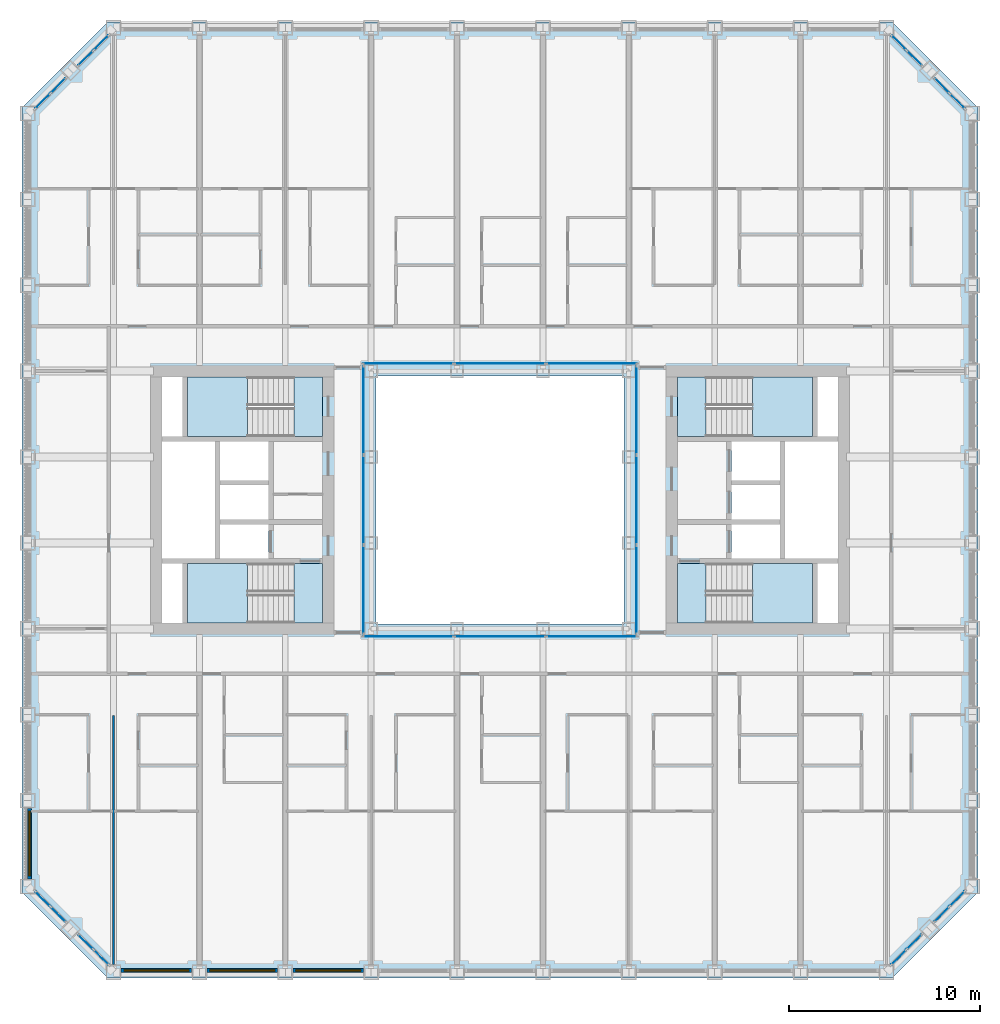
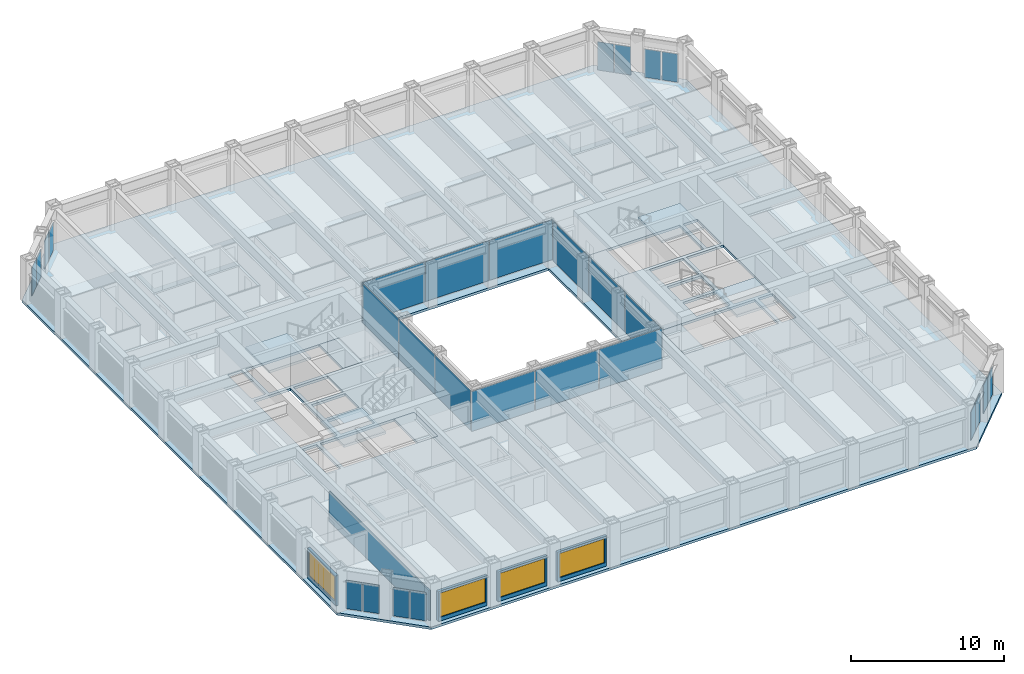
# One storey, part 8 of 21: 28 plates, 9 slabs, 5 walls, 4 windows, 4 openings, 16 elements without a shape of their own.
"""IFC4 building model written with IfcOpenShell, lengths in metres."""

from ifc_helpers import new_model, si_unit, direction, frame, frame_2d, origin, origin_2d, place, context, subcontext, project, spatial, polyline, rectangle, outline, extrude, material, layer, layer_set, type_object, element, fill, aggregate, save


model = new_model("IFC4")

# Units and contexts
model_context = context("Model", 3, precision=1e-05, world=origin(), true_north=direction((0.0, 1.0)))
body_context = subcontext(model_context, "Body", "Model", "MODEL_VIEW")
ifc_project = project(units=[si_unit("LENGTHUNIT", "METRE"), si_unit("AREAUNIT", "SQUARE_METRE"), si_unit("VOLUMEUNIT", "CUBIC_METRE"), si_unit("PLANEANGLEUNIT", "RADIAN"), si_unit("MASSUNIT", "GRAM", prefix="KILO")], contexts=[model_context])

# Site, building, storey
site_placement = place(None, origin())
site = spatial("IfcSite", under=ifc_project, at=site_placement, CompositionType="ELEMENT")
building_placement = place(site_placement, origin())
building = spatial("IfcBuilding", under=site, at=building_placement, Name="Msasa Ring Tower", CompositionType="ELEMENT")
storey_placement = place(building_placement, frame((0.0, 0.0, 44.0)))
storey = spatial("IfcBuildingStorey", under=building, at=storey_placement, Name="L10", CompositionType="ELEMENT", Elevation=44.0)

# Curtain wall, plates
ifc_material_1 = material(Name="Aluminium curtain wall with clear glass", Category="aluminium")
curtain_wall_type_1 = type_object("IfcCurtainWallType", Name="CW-C CHAMFER CORNER CURTAIN WALL", PredefinedType="NOTDEFINED", material=ifc_material_1)
curtain_wall_1_placement = place(storey_placement, origin())
curtain_wall_1 = element("IfcCurtainWall", 1, at=curtain_wall_1_placement, inside=storey, type_object=curtain_wall_type_1, Name="Chamfer corner curtain wall SE L10", PredefinedType="NOTDEFINED")
ifc_material_2 = material(Name="Clear laminated insulating glass unit", Category="glass")
ifc_layer_1 = layer(ifc_material_2, 0.031982421875)
ifc_layer_set_1 = layer_set([ifc_layer_1], Name="CW-C GLASS PANEL 32")
plate_type_1 = type_object("IfcPlateType", Name="CW-C GLASS PANEL 32", PredefinedType="CURTAIN_PANEL", material=ifc_layer_set_1)
plate_1_placement = place(storey_placement, frame((20.896484375, -23.962158203125, 0.06494140625), z_axis=(0.0, 0.0, 1.0), x_axis=(0.707106781187, 0.707106781187, 0.0)))
plate_1 = element("IfcPlate", 2, at=plate_1_placement, type_object=plate_type_1, Name="CW-C panel 1.1", PredefinedType="CURTAIN_PANEL", context=body_context, shape_type="SweptSolid", body=[
    extrude(rectangle(XDim=1.08837890625, YDim=0.031982421875, at=origin_2d()), origin(), (0.0, 0.0, 1.0), 2.2490234375),
])
plate_2_placement = place(storey_placement, frame((21.712158203125, -23.146484375, 0.06494140625), z_axis=(0.0, 0.0, 1.0), x_axis=(0.707106781187, 0.707106781187, 0.0)))
plate_2 = element("IfcPlate", 3, at=plate_2_placement, type_object=plate_type_1, Name="CW-C panel 2.1", PredefinedType="CURTAIN_PANEL", context=body_context, shape_type="SweptSolid", body=[
    extrude(rectangle(XDim=1.08837890625, YDim=0.031982421875, at=origin_2d()), origin(), (0.0, 0.0, 1.0), 2.2490234375),
])
aggregate(curtain_wall_1, [plate_1, plate_2])

curtain_wall_2_placement = place(storey_placement, origin())
curtain_wall_2 = element("IfcCurtainWall", 4, at=curtain_wall_2_placement, inside=storey, type_object=curtain_wall_type_1, Name="Chamfer corner curtain wall SE L10", PredefinedType="NOTDEFINED")
plate_3_placement = place(storey_placement, frame((23.146484375, -21.712158203125, 0.06494140625), z_axis=(0.0, 0.0, 1.0), x_axis=(0.707106781187, 0.707106781187, 0.0)))
plate_3 = element("IfcPlate", 5, at=plate_3_placement, type_object=plate_type_1, Name="CW-C panel 1.1", PredefinedType="CURTAIN_PANEL", context=body_context, shape_type="SweptSolid", body=[
    extrude(rectangle(XDim=1.08837890625, YDim=0.031982421875, at=origin_2d()), origin(), (0.0, 0.0, 1.0), 2.2490234375),
])
plate_4_placement = place(storey_placement, frame((23.962158203125, -20.896484375, 0.06494140625), z_axis=(0.0, 0.0, 1.0), x_axis=(0.707106781187, 0.707106781187, 0.0)))
plate_4 = element("IfcPlate", 6, at=plate_4_placement, type_object=plate_type_1, Name="CW-C panel 2.1", PredefinedType="CURTAIN_PANEL", context=body_context, shape_type="SweptSolid", body=[
    extrude(rectangle(XDim=1.08837890625, YDim=0.031982421875, at=origin_2d()), origin(), (0.0, 0.0, 1.0), 2.2490234375),
])
aggregate(curtain_wall_2, [plate_3, plate_4])

curtain_wall_3_placement = place(storey_placement, origin())
curtain_wall_3 = element("IfcCurtainWall", 7, at=curtain_wall_3_placement, inside=storey, type_object=curtain_wall_type_1, Name="Chamfer corner curtain wall NE L10", PredefinedType="NOTDEFINED")
plate_5_placement = place(storey_placement, frame((21.712158203125, 23.146484375, 0.06494140625), z_axis=(0.0, 0.0, 1.0), x_axis=(-0.707106781187, 0.707106781187, 0.0)))
plate_5 = element("IfcPlate", 8, at=plate_5_placement, type_object=plate_type_1, Name="CW-C panel 1.1", PredefinedType="CURTAIN_PANEL", context=body_context, shape_type="SweptSolid", body=[
    extrude(rectangle(XDim=1.08837890625, YDim=0.031982421875, at=origin_2d()), origin(), (0.0, 0.0, 1.0), 2.2490234375),
])
plate_6_placement = place(storey_placement, frame((20.896484375, 23.962158203125, 0.06494140625), z_axis=(0.0, 0.0, 1.0), x_axis=(-0.707106781187, 0.707106781187, 0.0)))
plate_6 = element("IfcPlate", 9, at=plate_6_placement, type_object=plate_type_1, Name="CW-C panel 2.1", PredefinedType="CURTAIN_PANEL", context=body_context, shape_type="SweptSolid", body=[
    extrude(rectangle(XDim=1.08837890625, YDim=0.031982421875, at=origin_2d()), origin(), (0.0, 0.0, 1.0), 2.2490234375),
])
aggregate(curtain_wall_3, [plate_5, plate_6])

curtain_wall_4_placement = place(storey_placement, origin())
curtain_wall_4 = element("IfcCurtainWall", 10, at=curtain_wall_4_placement, inside=storey, type_object=curtain_wall_type_1, Name="Chamfer corner curtain wall NE L10", PredefinedType="NOTDEFINED")
plate_7_placement = place(storey_placement, frame((23.962158203125, 20.896484375, 0.06494140625), z_axis=(0.0, 0.0, 1.0), x_axis=(-0.707106781187, 0.707106781187, 0.0)))
plate_7 = element("IfcPlate", 11, at=plate_7_placement, type_object=plate_type_1, Name="CW-C panel 1.1", PredefinedType="CURTAIN_PANEL", context=body_context, shape_type="SweptSolid", body=[
    extrude(rectangle(XDim=1.08837890625, YDim=0.031982421875, at=origin_2d()), origin(), (0.0, 0.0, 1.0), 2.2490234375),
])
plate_8_placement = place(storey_placement, frame((23.146484375, 21.712158203125, 0.06494140625), z_axis=(0.0, 0.0, 1.0), x_axis=(-0.707106781187, 0.707106781187, 0.0)))
plate_8 = element("IfcPlate", 12, at=plate_8_placement, type_object=plate_type_1, Name="CW-C panel 2.1", PredefinedType="CURTAIN_PANEL", context=body_context, shape_type="SweptSolid", body=[
    extrude(rectangle(XDim=1.08837890625, YDim=0.031982421875, at=origin_2d()), origin(), (0.0, 0.0, 1.0), 2.2490234375),
])
aggregate(curtain_wall_4, [plate_7, plate_8])

curtain_wall_5_placement = place(storey_placement, origin())
curtain_wall_5 = element("IfcCurtainWall", 13, at=curtain_wall_5_placement, inside=storey, type_object=curtain_wall_type_1, Name="Chamfer corner curtain wall NW L10", PredefinedType="NOTDEFINED")
plate_9_placement = place(storey_placement, frame((-23.146484375, 21.712158203125, 0.06494140625), z_axis=(0.0, 0.0, 1.0), x_axis=(-0.707106781187, -0.707106781187, 0.0)))
plate_9 = element("IfcPlate", 14, at=plate_9_placement, type_object=plate_type_1, Name="CW-C panel 1.1", PredefinedType="CURTAIN_PANEL", context=body_context, shape_type="SweptSolid", body=[
    extrude(rectangle(XDim=1.08837890625, YDim=0.031982421875, at=origin_2d()), origin(), (0.0, 0.0, 1.0), 2.2490234375),
])
plate_10_placement = place(storey_placement, frame((-23.962158203125, 20.896484375, 0.06494140625), z_axis=(0.0, 0.0, 1.0), x_axis=(-0.707106781187, -0.707106781187, 0.0)))
plate_10 = element("IfcPlate", 15, at=plate_10_placement, type_object=plate_type_1, Name="CW-C panel 2.1", PredefinedType="CURTAIN_PANEL", context=body_context, shape_type="SweptSolid", body=[
    extrude(rectangle(XDim=1.08837890625, YDim=0.031982421875, at=origin_2d()), origin(), (0.0, 0.0, 1.0), 2.2490234375),
])
aggregate(curtain_wall_5, [plate_9, plate_10])

curtain_wall_6_placement = place(storey_placement, origin())
curtain_wall_6 = element("IfcCurtainWall", 16, at=curtain_wall_6_placement, inside=storey, type_object=curtain_wall_type_1, Name="Chamfer corner curtain wall NW L10", PredefinedType="NOTDEFINED")
plate_11_placement = place(storey_placement, frame((-20.896484375, 23.962158203125, 0.06494140625), z_axis=(0.0, 0.0, 1.0), x_axis=(-0.707106781187, -0.707106781187, 0.0)))
plate_11 = element("IfcPlate", 17, at=plate_11_placement, type_object=plate_type_1, Name="CW-C panel 1.1", PredefinedType="CURTAIN_PANEL", context=body_context, shape_type="SweptSolid", body=[
    extrude(rectangle(XDim=1.08837890625, YDim=0.031982421875, at=origin_2d()), origin(), (0.0, 0.0, 1.0), 2.2490234375),
])
plate_12_placement = place(storey_placement, frame((-21.712158203125, 23.146484375, 0.06494140625), z_axis=(0.0, 0.0, 1.0), x_axis=(-0.707106781187, -0.707106781187, 0.0)))
plate_12 = element("IfcPlate", 18, at=plate_12_placement, type_object=plate_type_1, Name="CW-C panel 2.1", PredefinedType="CURTAIN_PANEL", context=body_context, shape_type="SweptSolid", body=[
    extrude(rectangle(XDim=1.08837890625, YDim=0.031982421875, at=origin_2d()), origin(), (0.0, 0.0, 1.0), 2.2490234375),
])
aggregate(curtain_wall_6, [plate_11, plate_12])

curtain_wall_7_placement = place(storey_placement, origin())
curtain_wall_7 = element("IfcCurtainWall", 19, at=curtain_wall_7_placement, inside=storey, type_object=curtain_wall_type_1, Name="Chamfer corner curtain wall SW L10", PredefinedType="NOTDEFINED")
plate_13_placement = place(storey_placement, frame((-23.962158203125, -20.896484375, 0.06494140625), z_axis=(0.0, 0.0, 1.0), x_axis=(0.707106781187, -0.707106781187, 0.0)))
plate_13 = element("IfcPlate", 20, at=plate_13_placement, type_object=plate_type_1, Name="CW-C panel 1.1", PredefinedType="CURTAIN_PANEL", context=body_context, shape_type="SweptSolid", body=[
    extrude(rectangle(XDim=1.08837890625, YDim=0.031982421875, at=origin_2d()), origin(), (0.0, 0.0, 1.0), 2.2490234375),
])
plate_14_placement = place(storey_placement, frame((-23.146484375, -21.712158203125, 0.06494140625), z_axis=(0.0, 0.0, 1.0), x_axis=(0.707106781187, -0.707106781187, 0.0)))
plate_14 = element("IfcPlate", 21, at=plate_14_placement, type_object=plate_type_1, Name="CW-C panel 2.1", PredefinedType="CURTAIN_PANEL", context=body_context, shape_type="SweptSolid", body=[
    extrude(rectangle(XDim=1.08837890625, YDim=0.031982421875, at=origin_2d()), origin(), (0.0, 0.0, 1.0), 2.2490234375),
])
aggregate(curtain_wall_7, [plate_13, plate_14])

curtain_wall_8_placement = place(storey_placement, origin())
curtain_wall_8 = element("IfcCurtainWall", 22, at=curtain_wall_8_placement, inside=storey, type_object=curtain_wall_type_1, Name="Chamfer corner curtain wall SW L10", PredefinedType="NOTDEFINED")
plate_15_placement = place(storey_placement, frame((-21.712158203125, -23.146484375, 0.06494140625), z_axis=(0.0, 0.0, 1.0), x_axis=(0.707106781187, -0.707106781187, 0.0)))
plate_15 = element("IfcPlate", 23, at=plate_15_placement, type_object=plate_type_1, Name="CW-C panel 1.1", PredefinedType="CURTAIN_PANEL", context=body_context, shape_type="SweptSolid", body=[
    extrude(rectangle(XDim=1.08837890625, YDim=0.031982421875, at=origin_2d()), origin(), (0.0, 0.0, 1.0), 2.2490234375),
])
plate_16_placement = place(storey_placement, frame((-20.896484375, -23.962158203125, 0.06494140625), z_axis=(0.0, 0.0, 1.0), x_axis=(0.707106781187, -0.707106781187, 0.0)))
plate_16 = element("IfcPlate", 24, at=plate_16_placement, type_object=plate_type_1, Name="CW-C panel 2.1", PredefinedType="CURTAIN_PANEL", context=body_context, shape_type="SweptSolid", body=[
    extrude(rectangle(XDim=1.08837890625, YDim=0.031982421875, at=origin_2d()), origin(), (0.0, 0.0, 1.0), 2.2490234375),
])
aggregate(curtain_wall_8, [plate_15, plate_16])

ifc_material_3 = material(Name="Aluminium curtain wall with clear glass", Category="aluminium")
curtain_wall_type_2 = type_object("IfcCurtainWallType", Name="CW-W LIGHT WELL CURTAIN WALL", PredefinedType="NOTDEFINED", material=ifc_material_3)
curtain_wall_9_placement = place(storey_placement, origin())
curtain_wall_9 = element("IfcCurtainWall", 25, at=curtain_wall_9_placement, inside=storey, type_object=curtain_wall_type_2, Name="Light well curtain wall N L10", PredefinedType="NOTDEFINED")
ifc_material_4 = material(Name="Clear laminated insulating glass unit", Category="glass")
ifc_layer_2 = layer(ifc_material_4, 0.028076171875)
ifc_layer_set_2 = layer_set([ifc_layer_2], Name="CW-W GLASS PANEL 28")
plate_type_2 = type_object("IfcPlateType", Name="CW-W GLASS PANEL 28", PredefinedType="CURTAIN_PANEL", material=ifc_layer_set_2)
plate_17_placement = place(storey_placement, frame((-4.804931640625, 7.14990234375, 0.06005859375), z_axis=(0.0, 0.0, 1.0), x_axis=(1.0, 0.0, 0.0)))
plate_17 = element("IfcPlate", 26, at=plate_17_placement, type_object=plate_type_2, Name="CW-W panel 1.1", PredefinedType="CURTAIN_PANEL", context=body_context, shape_type="SweptSolid", body=[
    extrude(rectangle(XDim=4.72998046875, YDim=0.028076171875, at=origin_2d()), origin(), (0.0, 0.0, 1.0), 3.179931640625),
])
plate_18_placement = place(storey_placement, frame((0.0, 7.14990234375, 0.06005859375), z_axis=(0.0, 0.0, 1.0), x_axis=(1.0, 0.0, 0.0)))
plate_18 = element("IfcPlate", 27, at=plate_18_placement, type_object=plate_type_2, Name="CW-W panel 2.1", PredefinedType="CURTAIN_PANEL", context=body_context, shape_type="SweptSolid", body=[
    extrude(rectangle(XDim=4.760009765625, YDim=0.028076171875, at=origin_2d()), origin(), (0.0, 0.0, 1.0), 3.179931640625),
])
plate_19_placement = place(storey_placement, frame((4.804931640625, 7.14990234375, 0.06005859375), z_axis=(0.0, 0.0, 1.0), x_axis=(1.0, 0.0, 0.0)))
plate_19 = element("IfcPlate", 28, at=plate_19_placement, type_object=plate_type_2, Name="CW-W panel 3.1", PredefinedType="CURTAIN_PANEL", context=body_context, shape_type="SweptSolid", body=[
    extrude(rectangle(XDim=4.72998046875, YDim=0.028076171875, at=origin_2d()), origin(), (0.0, 0.0, 1.0), 3.179931640625),
])
aggregate(curtain_wall_9, [plate_17, plate_18, plate_19])

curtain_wall_10_placement = place(storey_placement, origin())
curtain_wall_10 = element("IfcCurtainWall", 29, at=curtain_wall_10_placement, inside=storey, type_object=curtain_wall_type_2, Name="Light well curtain wall S L10", PredefinedType="NOTDEFINED")
plate_20_placement = place(storey_placement, frame((-4.804931640625, -7.14990234375, 0.06005859375), z_axis=(0.0, 0.0, 1.0), x_axis=(1.0, 0.0, 0.0)))
plate_20 = element("IfcPlate", 30, at=plate_20_placement, type_object=plate_type_2, Name="CW-W panel 1.1", PredefinedType="CURTAIN_PANEL", context=body_context, shape_type="SweptSolid", body=[
    extrude(rectangle(XDim=4.72998046875, YDim=0.028076171875, at=origin_2d()), origin(), (0.0, 0.0, 1.0), 3.179931640625),
])
plate_21_placement = place(storey_placement, frame((0.0, -7.14990234375, 0.06005859375), z_axis=(0.0, 0.0, 1.0), x_axis=(1.0, 0.0, 0.0)))
plate_21 = element("IfcPlate", 31, at=plate_21_placement, type_object=plate_type_2, Name="CW-W panel 2.1", PredefinedType="CURTAIN_PANEL", context=body_context, shape_type="SweptSolid", body=[
    extrude(rectangle(XDim=4.760009765625, YDim=0.028076171875, at=origin_2d()), origin(), (0.0, 0.0, 1.0), 3.179931640625),
])
plate_22_placement = place(storey_placement, frame((4.804931640625, -7.14990234375, 0.06005859375), z_axis=(0.0, 0.0, 1.0), x_axis=(1.0, 0.0, 0.0)))
plate_22 = element("IfcPlate", 32, at=plate_22_placement, type_object=plate_type_2, Name="CW-W panel 3.1", PredefinedType="CURTAIN_PANEL", context=body_context, shape_type="SweptSolid", body=[
    extrude(rectangle(XDim=4.72998046875, YDim=0.028076171875, at=origin_2d()), origin(), (0.0, 0.0, 1.0), 3.179931640625),
])
aggregate(curtain_wall_10, [plate_20, plate_21, plate_22])

curtain_wall_11_placement = place(storey_placement, origin())
curtain_wall_11 = element("IfcCurtainWall", 33, at=curtain_wall_11_placement, inside=storey, type_object=curtain_wall_type_2, Name="Light well curtain wall E L10", PredefinedType="NOTDEFINED")
plate_23_placement = place(storey_placement, frame((7.14990234375, -4.6982421875, 0.06005859375), z_axis=(0.0, 0.0, 1.0), x_axis=(0.0, 1.0, 0.0)))
plate_23 = element("IfcPlate", 34, at=plate_23_placement, type_object=plate_type_2, Name="CW-W panel 1.1", PredefinedType="CURTAIN_PANEL", context=body_context, shape_type="SweptSolid", body=[
    extrude(rectangle(XDim=4.623291015625, YDim=0.028076171875, at=origin_2d()), origin(), (0.0, 0.0, 1.0), 3.179931640625),
])
plate_24_placement = place(storey_placement, frame((7.14990234375, 0.0, 0.06005859375), z_axis=(0.0, 0.0, 1.0), x_axis=(0.0, 1.0, 0.0)))
plate_24 = element("IfcPlate", 35, at=plate_24_placement, type_object=plate_type_2, Name="CW-W panel 2.1", PredefinedType="CURTAIN_PANEL", context=body_context, shape_type="SweptSolid", body=[
    extrude(rectangle(XDim=4.6533203125, YDim=0.028076171875, at=origin_2d()), origin(), (0.0, 0.0, 1.0), 3.179931640625),
])
plate_25_placement = place(storey_placement, frame((7.14990234375, 4.6982421875, 0.06005859375), z_axis=(0.0, 0.0, 1.0), x_axis=(0.0, 1.0, 0.0)))
plate_25 = element("IfcPlate", 36, at=plate_25_placement, type_object=plate_type_2, Name="CW-W panel 3.1", PredefinedType="CURTAIN_PANEL", context=body_context, shape_type="SweptSolid", body=[
    extrude(rectangle(XDim=4.623291015625, YDim=0.028076171875, at=origin_2d()), origin(), (0.0, 0.0, 1.0), 3.179931640625),
])
aggregate(curtain_wall_11, [plate_23, plate_24, plate_25])

curtain_wall_12_placement = place(storey_placement, origin())
curtain_wall_12 = element("IfcCurtainWall", 37, at=curtain_wall_12_placement, inside=storey, type_object=curtain_wall_type_2, Name="Light well curtain wall W L10", PredefinedType="NOTDEFINED")
plate_26_placement = place(storey_placement, frame((-7.14990234375, -4.6982421875, 0.06005859375), z_axis=(0.0, 0.0, 1.0), x_axis=(0.0, 1.0, 0.0)))
plate_26 = element("IfcPlate", 38, at=plate_26_placement, type_object=plate_type_2, Name="CW-W panel 1.1", PredefinedType="CURTAIN_PANEL", context=body_context, shape_type="SweptSolid", body=[
    extrude(rectangle(XDim=4.623291015625, YDim=0.028076171875, at=origin_2d()), origin(), (0.0, 0.0, 1.0), 3.179931640625),
])
plate_27_placement = place(storey_placement, frame((-7.14990234375, 0.0, 0.06005859375), z_axis=(0.0, 0.0, 1.0), x_axis=(0.0, 1.0, 0.0)))
plate_27 = element("IfcPlate", 39, at=plate_27_placement, type_object=plate_type_2, Name="CW-W panel 2.1", PredefinedType="CURTAIN_PANEL", context=body_context, shape_type="SweptSolid", body=[
    extrude(rectangle(XDim=4.6533203125, YDim=0.028076171875, at=origin_2d()), origin(), (0.0, 0.0, 1.0), 3.179931640625),
])
plate_28_placement = place(storey_placement, frame((-7.14990234375, 4.6982421875, 0.06005859375), z_axis=(0.0, 0.0, 1.0), x_axis=(0.0, 1.0, 0.0)))
plate_28 = element("IfcPlate", 40, at=plate_28_placement, type_object=plate_type_2, Name="CW-W panel 3.1", PredefinedType="CURTAIN_PANEL", context=body_context, shape_type="SweptSolid", body=[
    extrude(rectangle(XDim=4.623291015625, YDim=0.028076171875, at=origin_2d()), origin(), (0.0, 0.0, 1.0), 3.179931640625),
])
aggregate(curtain_wall_12, [plate_26, plate_27, plate_28])

# Stair, slabs
ifc_material_5 = material(Name="Concrete C40/50", Category="concrete")
stair_type = type_object("IfcStairType", Name="STC CORE STAIR 20 RISERS 175", PredefinedType="HALF_TURN_STAIR", material=ifc_material_5)
stair_1_placement = place(storey_placement, origin())
stair_1 = element("IfcStair", 41, at=stair_1_placement, inside=storey, type_object=stair_type, Name="Core stair SEA L10", PredefinedType="HALF_TURN_STAIR")
ifc_material_6 = material(Name="Concrete C40/50", Category="concrete")
ifc_layer_3 = layer(ifc_material_6, 0.199951171875)
ifc_layer_set_3 = layer_set([ifc_layer_3], Name="LD1 CORE STAIR LANDING 200")
slab_type_1 = type_object("IfcSlabType", Name="LD1 CORE STAIR LANDING 200", PredefinedType="LANDING", material=ifc_layer_set_3)
slab_1_placement = place(storey_placement, frame((0.0, 0.0, -0.199951171875)))
slab_1 = element("IfcSlab", 42, at=slab_1_placement, type_object=slab_type_1, Name="SEA landing 1", PredefinedType="LANDING", context=body_context, shape_type="SweptSolid", body=[
    extrude(outline(polyline([(9.300048828125, -6.449951171875), (10.800048828125, -6.449951171875), (10.800048828125, -3.324951171875), (9.300048828125, -3.324951171875), (9.300048828125, -6.449951171875)])), origin(), (0.0, 0.0, 1.0), 0.199951171875),
])
slab_2_placement = place(storey_placement, frame((0.0, 0.0, 1.550048828125)))
slab_2 = element("IfcSlab", 43, at=slab_2_placement, type_object=slab_type_1, Name="SEA landing 2", PredefinedType="LANDING", context=body_context, shape_type="SweptSolid", body=[
    extrude(outline(polyline([(13.22998046875, -6.449951171875), (16.375, -6.449951171875), (16.375, -3.324951171875), (13.22998046875, -3.324951171875), (13.22998046875, -6.449951171875)])), origin(), (0.0, 0.0, 1.0), 0.199951171875),
])
aggregate(stair_1, [slab_1, slab_2])

stair_2_placement = place(storey_placement, origin())
stair_2 = element("IfcStair", 44, at=stair_2_placement, inside=storey, type_object=stair_type, Name="Core stair SEB L10", PredefinedType="HALF_TURN_STAIR")
slab_3_placement = place(storey_placement, frame((0.0, 0.0, -0.199951171875)))
slab_3 = element("IfcSlab", 45, at=slab_3_placement, type_object=slab_type_1, Name="SEB landing 1", PredefinedType="LANDING", context=body_context, shape_type="SweptSolid", body=[
    extrude(outline(polyline([(9.300048828125, 3.324951171875), (10.800048828125, 3.324951171875), (10.800048828125, 6.449951171875), (9.300048828125, 6.449951171875), (9.300048828125, 3.324951171875)])), origin(), (0.0, 0.0, 1.0), 0.199951171875),
])
slab_4_placement = place(storey_placement, frame((0.0, 0.0, 1.550048828125)))
slab_4 = element("IfcSlab", 46, at=slab_4_placement, type_object=slab_type_1, Name="SEB landing 2", PredefinedType="LANDING", context=body_context, shape_type="SweptSolid", body=[
    extrude(outline(polyline([(13.22998046875, 3.324951171875), (16.375, 3.324951171875), (16.375, 6.449951171875), (13.22998046875, 6.449951171875), (13.22998046875, 3.324951171875)])), origin(), (0.0, 0.0, 1.0), 0.199951171875),
])
aggregate(stair_2, [slab_3, slab_4])

stair_3_placement = place(storey_placement, origin())
stair_3 = element("IfcStair", 47, at=stair_3_placement, inside=storey, type_object=stair_type, Name="Core stair SWA L10", PredefinedType="HALF_TURN_STAIR")
slab_5_placement = place(storey_placement, frame((0.0, 0.0, -0.199951171875)))
slab_5 = element("IfcSlab", 48, at=slab_5_placement, type_object=slab_type_1, Name="SWA landing 1", PredefinedType="LANDING", context=body_context, shape_type="SweptSolid", body=[
    extrude(outline(polyline([(-10.800048828125, -6.449951171875), (-9.300048828125, -6.449951171875), (-9.300048828125, -3.324951171875), (-10.800048828125, -3.324951171875), (-10.800048828125, -6.449951171875)])), origin(), (0.0, 0.0, 1.0), 0.199951171875),
])
slab_6_placement = place(storey_placement, frame((0.0, 0.0, 1.550048828125)))
slab_6 = element("IfcSlab", 49, at=slab_6_placement, type_object=slab_type_1, Name="SWA landing 2", PredefinedType="LANDING", context=body_context, shape_type="SweptSolid", body=[
    extrude(outline(polyline([(-16.375, -6.449951171875), (-13.22998046875, -6.449951171875), (-13.22998046875, -3.324951171875), (-16.375, -3.324951171875), (-16.375, -6.449951171875)])), origin(), (0.0, 0.0, 1.0), 0.199951171875),
])
aggregate(stair_3, [slab_5, slab_6])

stair_4_placement = place(storey_placement, origin())
stair_4 = element("IfcStair", 50, at=stair_4_placement, inside=storey, type_object=stair_type, Name="Core stair SWB L10", PredefinedType="HALF_TURN_STAIR")
slab_7_placement = place(storey_placement, frame((0.0, 0.0, -0.199951171875)))
slab_7 = element("IfcSlab", 51, at=slab_7_placement, type_object=slab_type_1, Name="SWB landing 1", PredefinedType="LANDING", context=body_context, shape_type="SweptSolid", body=[
    extrude(outline(polyline([(-10.800048828125, 3.324951171875), (-9.300048828125, 3.324951171875), (-9.300048828125, 6.449951171875), (-10.800048828125, 6.449951171875), (-10.800048828125, 3.324951171875)])), origin(), (0.0, 0.0, 1.0), 0.199951171875),
])
slab_8_placement = place(storey_placement, frame((0.0, 0.0, 1.550048828125)))
slab_8 = element("IfcSlab", 52, at=slab_8_placement, type_object=slab_type_1, Name="SWB landing 2", PredefinedType="LANDING", context=body_context, shape_type="SweptSolid", body=[
    extrude(outline(polyline([(-16.375, 3.324951171875), (-13.22998046875, 3.324951171875), (-13.22998046875, 6.449951171875), (-16.375, 6.449951171875), (-16.375, 3.324951171875)])), origin(), (0.0, 0.0, 1.0), 0.199951171875),
])
aggregate(stair_4, [slab_7, slab_8])

# Slab
ifc_material_7 = material(Name="Concrete C40/50", Category="concrete")
ifc_layer_4 = layer(ifc_material_7, 0.199951171875)
ifc_layer_set_4 = layer_set([ifc_layer_4], Name="S3 RESIDENCE FLOOR 200")
slab_type_2 = type_object("IfcSlabType", Name="S3 RESIDENCE FLOOR 200", PredefinedType="FLOOR", material=ifc_layer_set_4)
slab_9_placement = place(storey_placement, frame((0.0, 0.0, -0.199951171875)))
element("IfcSlab", 53, at=slab_9_placement, inside=storey, type_object=slab_type_2, Name="Floor slab L10", PredefinedType="FLOOR", context=body_context, shape_type="SweptSolid", body=[
    extrude(outline(polyline([(-20.550048828125, -25.050048828125), (20.550048828125, -25.050048828125), (25.050048828125, -20.550048828125), (25.050048828125, 20.550048828125), (20.550048828125, 25.050048828125), (-20.550048828125, 25.050048828125), (-25.050048828125, 20.550048828125), (-25.050048828125, -20.550048828125), (-20.550048828125, -25.050048828125)]), holes=[polyline([(-6.5, -6.5), (6.5, -6.5), (6.5, 6.5), (-6.5, 6.5), (-6.5, -6.5)]), polyline([(9.300048828125, -6.449951171875), (16.375, -6.449951171875), (16.375, -3.324951171875), (9.300048828125, -3.324951171875), (9.300048828125, -6.449951171875)]), polyline([(9.300048828125, 3.324951171875), (16.375, 3.324951171875), (16.375, 6.449951171875), (9.300048828125, 6.449951171875), (9.300048828125, 3.324951171875)]), polyline([(12.125, -3.074951171875), (14.675048828125, -3.074951171875), (14.675048828125, -1.27490234375), (12.125, -1.27490234375), (12.125, -3.074951171875)]), polyline([(12.125, -1.02490234375), (14.675048828125, -1.02490234375), (14.675048828125, 0.77490234375), (12.125, 0.77490234375), (12.125, -1.02490234375)]), polyline([(12.125, 1.02490234375), (14.675048828125, 1.02490234375), (14.675048828125, 3.074951171875), (12.125, 3.074951171875), (12.125, 1.02490234375)]), polyline([(16.625, -6.449951171875), (17.699951171875, -6.449951171875), (17.699951171875, -3.324951171875), (16.625, -3.324951171875), (16.625, -6.449951171875)]), polyline([(16.625, 3.324951171875), (17.699951171875, 3.324951171875), (17.699951171875, 6.449951171875), (16.625, 6.449951171875), (16.625, 3.324951171875)]), polyline([(14.925048828125, -3.074951171875), (17.699951171875, -3.074951171875), (17.699951171875, 3.074951171875), (14.925048828125, 3.074951171875), (14.925048828125, -3.074951171875)]), polyline([(-16.375, -6.449951171875), (-9.300048828125, -6.449951171875), (-9.300048828125, -3.324951171875), (-16.375, -3.324951171875), (-16.375, -6.449951171875)]), polyline([(-16.375, 3.324951171875), (-9.300048828125, 3.324951171875), (-9.300048828125, 6.449951171875), (-16.375, 6.449951171875), (-16.375, 3.324951171875)]), polyline([(-14.675048828125, -3.074951171875), (-12.125, -3.074951171875), (-12.125, -1.27490234375), (-14.675048828125, -1.27490234375), (-14.675048828125, -3.074951171875)]), polyline([(-14.675048828125, -1.02490234375), (-12.125, -1.02490234375), (-12.125, 0.77490234375), (-14.675048828125, 0.77490234375), (-14.675048828125, -1.02490234375)]), polyline([(-14.675048828125, 1.02490234375), (-12.125, 1.02490234375), (-12.125, 3.074951171875), (-14.675048828125, 3.074951171875), (-14.675048828125, 1.02490234375)]), polyline([(-17.699951171875, -6.449951171875), (-16.625, -6.449951171875), (-16.625, -3.324951171875), (-17.699951171875, -3.324951171875), (-17.699951171875, -6.449951171875)]), polyline([(-17.699951171875, 3.324951171875), (-16.625, 3.324951171875), (-16.625, 6.449951171875), (-17.699951171875, 6.449951171875), (-17.699951171875, 3.324951171875)]), polyline([(-17.699951171875, -3.074951171875), (-14.925048828125, -3.074951171875), (-14.925048828125, 3.074951171875), (-17.699951171875, 3.074951171875), (-17.699951171875, -3.074951171875)])]), origin(), (0.0, 0.0, 1.0), 0.199951171875),
])

# Wall, opening, window
ifc_material_8 = material(Name="Terracotta rainscreen on blockwork", Category="masonry")
ifc_layer_5 = layer(ifc_material_8, 0.199951171875)
ifc_layer_set_5 = layer_set([ifc_layer_5], Name="FW1 TERRACOTTA-LINED INFILL BAY WALL 200")
wall_type_1 = type_object("IfcWallType", Name="FW1 TERRACOTTA-LINED INFILL BAY WALL 200", PredefinedType="SOLIDWALL", material=ifc_layer_set_5)
wall_1_placement = place(storey_placement, frame((-19.844970703125, -24.64990234375, 0.0), z_axis=(0.0, 0.0, 1.0), x_axis=(1.0, 0.0, 0.0)))
wall_1 = element("IfcWall", 54, at=wall_1_placement, inside=storey, type_object=wall_type_1, Name="Infill bay wall S L10 00", PredefinedType="SOLIDWALL", context=body_context, shape_type="SweptSolid", body=[
    extrude(rectangle(XDim=3.68994140625, YDim=0.199951171875, at=frame_2d((1.844970703125, 0.0))), origin(), (0.0, 0.0, 1.0), 2.37890625),
])
opening_1_placement = place(wall_1_placement, frame((0.14501953125, 0.0, 0.300048828125)))
opening_1 = element("IfcOpeningElement", 55, at=opening_1_placement, cuts=wall_1, Name="Opening WN1", PredefinedType="OPENING", context=body_context, shape_type="SweptSolid", body=[
    extrude(rectangle(XDim=3.39990234375, YDim=1.928955078125, at=frame_2d((1.699951171875, 0.96435546875))), frame((0.0, 0.10986328125, 0.0), z_axis=(0.0, -1.0, 0.0), x_axis=(1.0, 0.0, 0.0)), (0.0, 0.0, 1.0), 0.219970703125),
])
ifc_material_9 = material(Name="Aluminium frame with clear glass", Category="aluminium")
window_type = type_object("IfcWindowType", Name="WN1 RESIDENCE WINDOW 3400x1929", PartitioningType="SINGLE_PANEL", PredefinedType="WINDOW", material=ifc_material_9)
window_1_placement = place(opening_1_placement, origin())
window_1 = element("IfcWindow", 56, at=window_1_placement, inside=storey, type_object=window_type, Name="Window S L10 00", OverallHeight=1.928955078125, OverallWidth=3.39990234375, PartitioningType="SINGLE_PANEL", PredefinedType="WINDOW", context=body_context, shape_type="SweptSolid", body=[
    extrude(rectangle(XDim=3.39990234375, YDim=1.928955078125, at=frame_2d((1.699951171875, 0.96435546875))), frame((0.0, 0.030029296875, 0.0), z_axis=(0.0, -1.0, 0.0), x_axis=(1.0, 0.0, 0.0)), (0.0, 0.0, 1.0), 0.06005859375),
])
fill(opening_1, window_1)

wall_2_placement = place(storey_placement, frame((-15.344970703125, -24.64990234375, 0.0), z_axis=(0.0, 0.0, 1.0), x_axis=(1.0, 0.0, 0.0)))
wall_2 = element("IfcWall", 57, at=wall_2_placement, inside=storey, type_object=wall_type_1, Name="Infill bay wall S L10 01", PredefinedType="SOLIDWALL", context=body_context, shape_type="SweptSolid", body=[
    extrude(rectangle(XDim=3.68994140625, YDim=0.199951171875, at=frame_2d((1.844970703125, 0.0))), origin(), (0.0, 0.0, 1.0), 2.37890625),
])
opening_2_placement = place(wall_2_placement, frame((0.14501953125, 0.0, 0.300048828125)))
opening_2 = element("IfcOpeningElement", 58, at=opening_2_placement, cuts=wall_2, Name="Opening WN1", PredefinedType="OPENING", context=body_context, shape_type="SweptSolid", body=[
    extrude(rectangle(XDim=3.39990234375, YDim=1.928955078125, at=frame_2d((1.699951171875, 0.96435546875))), frame((0.0, 0.10986328125, 0.0), z_axis=(0.0, -1.0, 0.0), x_axis=(1.0, 0.0, 0.0)), (0.0, 0.0, 1.0), 0.219970703125),
])
window_2_placement = place(opening_2_placement, origin())
window_2 = element("IfcWindow", 59, at=window_2_placement, inside=storey, type_object=window_type, Name="Window S L10 01", OverallHeight=1.928955078125, OverallWidth=3.39990234375, PartitioningType="SINGLE_PANEL", PredefinedType="WINDOW", context=body_context, shape_type="SweptSolid", body=[
    extrude(rectangle(XDim=3.39990234375, YDim=1.928955078125, at=frame_2d((1.699951171875, 0.96435546875))), frame((0.0, 0.030029296875, 0.0), z_axis=(0.0, -1.0, 0.0), x_axis=(1.0, 0.0, 0.0)), (0.0, 0.0, 1.0), 0.06005859375),
])
fill(opening_2, window_2)

wall_3_placement = place(storey_placement, frame((-10.844970703125, -24.64990234375, 0.0), z_axis=(0.0, 0.0, 1.0), x_axis=(1.0, 0.0, 0.0)))
wall_3 = element("IfcWall", 60, at=wall_3_placement, inside=storey, type_object=wall_type_1, Name="Infill bay wall S L10 02", PredefinedType="SOLIDWALL", context=body_context, shape_type="SweptSolid", body=[
    extrude(rectangle(XDim=3.68994140625, YDim=0.199951171875, at=frame_2d((1.844970703125, 0.0))), origin(), (0.0, 0.0, 1.0), 2.37890625),
])
opening_3_placement = place(wall_3_placement, frame((0.14501953125, 0.0, 0.300048828125)))
opening_3 = element("IfcOpeningElement", 61, at=opening_3_placement, cuts=wall_3, Name="Opening WN1", PredefinedType="OPENING", context=body_context, shape_type="SweptSolid", body=[
    extrude(rectangle(XDim=3.39990234375, YDim=1.928955078125, at=frame_2d((1.699951171875, 0.96435546875))), frame((0.0, 0.10986328125, 0.0), z_axis=(0.0, -1.0, 0.0), x_axis=(1.0, 0.0, 0.0)), (0.0, 0.0, 1.0), 0.219970703125),
])
window_3_placement = place(opening_3_placement, origin())
window_3 = element("IfcWindow", 62, at=window_3_placement, inside=storey, type_object=window_type, Name="Window S L10 02", OverallHeight=1.928955078125, OverallWidth=3.39990234375, PartitioningType="SINGLE_PANEL", PredefinedType="WINDOW", context=body_context, shape_type="SweptSolid", body=[
    extrude(rectangle(XDim=3.39990234375, YDim=1.928955078125, at=frame_2d((1.699951171875, 0.96435546875))), frame((0.0, 0.030029296875, 0.0), z_axis=(0.0, -1.0, 0.0), x_axis=(1.0, 0.0, 0.0)), (0.0, 0.0, 1.0), 0.06005859375),
])
fill(opening_3, window_3)

wall_4_placement = place(storey_placement, frame((-24.64990234375, -19.844970703125, 0.0), z_axis=(0.0, 0.0, 1.0), x_axis=(0.0, 1.0, 0.0)))
wall_4 = element("IfcWall", 63, at=wall_4_placement, inside=storey, type_object=wall_type_1, Name="Infill bay wall W L10 33", PredefinedType="SOLIDWALL", context=body_context, shape_type="SweptSolid", body=[
    extrude(rectangle(XDim=3.68994140625, YDim=0.199951171875, at=frame_2d((1.844970703125, 0.0))), origin(), (0.0, 0.0, 1.0), 2.37890625),
])
opening_4_placement = place(wall_4_placement, frame((0.14501953125, 0.0, 0.300048828125)))
opening_4 = element("IfcOpeningElement", 64, at=opening_4_placement, cuts=wall_4, Name="Opening WN1", PredefinedType="OPENING", context=body_context, shape_type="SweptSolid", body=[
    extrude(rectangle(XDim=3.39990234375, YDim=1.928955078125, at=frame_2d((1.699951171875, 0.96435546875))), frame((0.0, 0.10986328125, 0.0), z_axis=(0.0, -1.0, 0.0), x_axis=(1.0, 0.0, 0.0)), (0.0, 0.0, 1.0), 0.219970703125),
])
window_4_placement = place(opening_4_placement, origin())
window_4 = element("IfcWindow", 65, at=window_4_placement, inside=storey, type_object=window_type, Name="Window W L10 33", OverallHeight=1.928955078125, OverallWidth=3.39990234375, PartitioningType="SINGLE_PANEL", PredefinedType="WINDOW", context=body_context, shape_type="SweptSolid", body=[
    extrude(rectangle(XDim=3.39990234375, YDim=1.928955078125, at=frame_2d((1.699951171875, 0.96435546875))), frame((0.0, 0.030029296875, 0.0), z_axis=(0.0, -1.0, 0.0), x_axis=(1.0, 0.0, 0.0)), (0.0, 0.0, 1.0), 0.06005859375),
])
fill(opening_4, window_4)

# Wall
ifc_material_10 = material(Name="Gypsum board on steel studs", Category="steel")
ifc_layer_6 = layer(ifc_material_10, 0.10009765625)
ifc_layer_set_6 = layer_set([ifc_layer_6], Name="PT2 STUD PARTITION 100")
wall_type_2 = type_object("IfcWallType", Name="PT2 STUD PARTITION 100", PredefinedType="PARTITIONING", material=ifc_layer_set_6)
wall_5_placement = place(storey_placement, frame((-20.25, -24.35009765625, 0.0), z_axis=(0.0, 0.0, 1.0), x_axis=(0.0, 1.0, 0.0)))
element("IfcWall", 66, at=wall_5_placement, inside=storey, type_object=wall_type_2, Name="Partition L10-US00P1", PredefinedType="PARTITIONING", context=body_context, shape_type="SweptSolid", body=[
    extrude(rectangle(XDim=13.050048828125, YDim=0.10009765625, at=frame_2d((6.52490234375, 0.0))), origin(), (0.0, 0.0, 1.0), 2.373291015625),
])

save(model, "model.ifc")
